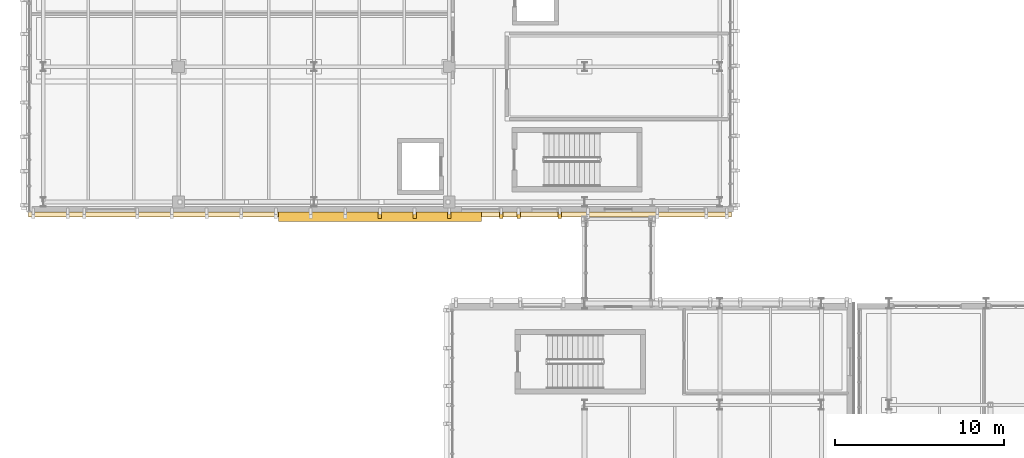
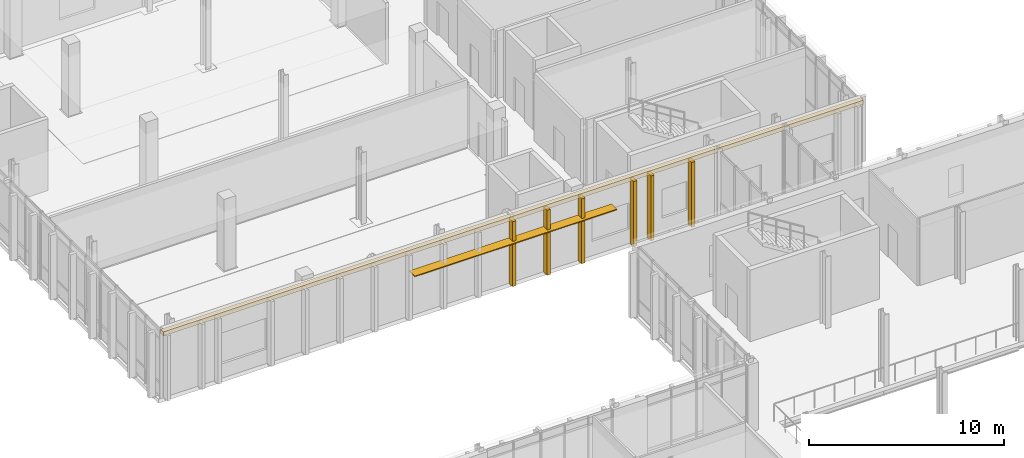
# One storey, part 84 of 100: 7 coverings, 1 shading device.
"""IFC4 building model written with IfcOpenShell, lengths in metres."""

from ifc_helpers import new_model, si_unit, direction, frame, origin, origin_2d, place, context, subcontext, project, spatial, rectangle, extrude, material, layer, layer_set, type_object, element, save


model = new_model("IFC4")

# Units and contexts
model_context = context("Model", 3, precision=1e-05, world=origin(), true_north=direction((0.0, 1.0)))
body_context = subcontext(model_context, "Body", "Model", "MODEL_VIEW")
ifc_project = project(units=[si_unit("LENGTHUNIT", "METRE"), si_unit("AREAUNIT", "SQUARE_METRE"), si_unit("VOLUMEUNIT", "CUBIC_METRE"), si_unit("PLANEANGLEUNIT", "RADIAN"), si_unit("MASSUNIT", "GRAM", prefix="KILO")], contexts=[model_context])

# Site, building, storey
site_placement = place(None, origin())
site = spatial("IfcSite", under=ifc_project, at=site_placement, CompositionType="ELEMENT")
building_placement = place(site_placement, origin())
building = spatial("IfcBuilding", under=site, at=building_placement, Name="Cymarion Research Institute", CompositionType="ELEMENT")
storey_placement = place(building_placement, frame((0.0, 0.0, 4.800048828125)))
storey = spatial("IfcBuildingStorey", under=building, at=storey_placement, Name="L01", CompositionType="ELEMENT", Elevation=4.800048828125)

# Shading device
ifc_material_1 = material(Name="Anodised aluminium solar louvre jalousie", Category="aluminium")
ifc_layer_1 = layer(ifc_material_1, 0.06005859375)
ifc_layer_set_1 = layer_set([ifc_layer_1], Name="Anodised aluminium solar louvre jalousie")
shading_device_type = type_object("IfcShadingDeviceType", Name="ANODISED ALUMINIUM HORIZONTAL LOUVRE JALOUSIE SHD2 550MM", PredefinedType="JALOUSIE", material=ifc_layer_set_1)
shading_device_placement = place(storey_placement, frame((26.5, 46.623046875, 2.7900390625), z_axis=(0.0, 0.0, 1.0), x_axis=(0.0, -1.0, 0.0)))
element("IfcShadingDevice", 1, at=shading_device_placement, inside=storey, type_object=shading_device_type, Name="L01 V4 south aluminium sunshade SHD2 #2", PredefinedType="JALOUSIE", context=body_context, shape_type="SweptSolid", body=[
    extrude(rectangle(XDim=0.550048828125, YDim=12.0, at=origin_2d()), origin(), (0.0, 0.0, 1.0), 0.06005859375),
])

# Coverings
ifc_material_2 = material(Name="Precast concrete C45/55 architectural white", Category="concrete")
ifc_layer_2 = layer(ifc_material_2, 0.260009765625)
ifc_layer_set_2 = layer_set([ifc_layer_2], Name="Precast concrete C45/55 architectural white")
covering_type_1 = type_object("IfcCoveringType", Name="SCULPTURAL WHITE PRECAST CONCRETE SPANDREL BROW BAND RIB2 280MM", PredefinedType="CLADDING", material=ifc_layer_set_2)
covering_placement = place(storey_placement, frame((26.5, 46.758056640625, 4.08984375), z_axis=(0.0, 0.0, 1.0), x_axis=(0.0, -1.0, 0.0)))
element("IfcCovering", 2, at=covering_placement, inside=storey, type_object=covering_type_1, Name="L01 V4 precast spandrel brow band RIB2 #289", PredefinedType="CLADDING", context=body_context, shape_type="SweptSolid", body=[
    extrude(rectangle(XDim=0.280029296875, YDim=41.56005859375, at=origin_2d()), origin(), (0.0, 0.0, 1.0), 0.260009765625),
])
ifc_layer_3 = layer(ifc_material_2, 0.199951171875)
ifc_layer_set_3 = layer_set([ifc_layer_3], Name="Precast concrete C45/55 architectural white")
covering_type_2 = type_object("IfcCoveringType", Name="SCULPTURAL WHITE PRECAST CONCRETE VERTICAL RIB RIB1 380X200", PredefinedType="CLADDING", material=ifc_layer_set_3)
for number, where, z_axis, x_axis, name in (
    (3, (26.5, 46.7080078125, 0.009765625), (0.0, 0.0, 1.0), (0.0, -1.0, 0.0), "L01 V4 sculptural precast vertical rib RIB1 #300"),
    (4, (28.550048828125, 46.7080078125, 0.009765625), (0.0, 0.0, 1.0), (0.0, -1.0, 0.0), "L01 V4 sculptural precast vertical rib RIB1 #301"),
    (5, (30.60009765625, 46.7080078125, 0.009765625), (0.0, 0.0, 1.0), (0.0, -1.0, 0.0), "L01 V4 sculptural precast vertical rib RIB1 #302"),
    (6, (33.679931640625, 46.7080078125, 0.009765625), (0.0, 0.0, 1.0), (0.0, -1.0, 0.0), "L01 V4 sculptural precast vertical rib RIB1 #303"),
    (7, (34.699951171875, 46.7080078125, 0.009765625), (0.0, 0.0, 1.0), (0.0, -1.0, 0.0), "L01 V4 sculptural precast vertical rib RIB1 #304"),
    (8, (37.1298828125, 46.7080078125, 0.009765625), (0.0, 0.0, 1.0), (0.0, -1.0, 0.0), "L01 V4 sculptural precast vertical rib RIB1 #305"),
):
    element("IfcCovering", number, at=place(storey_placement, frame(where, z_axis=z_axis, x_axis=x_axis)), inside=storey, type_object=covering_type_2, Name=name, PredefinedType="CLADDING", context=body_context, shape_type="SweptSolid", body=[
        extrude(rectangle(XDim=0.3798828125, YDim=0.199951171875, at=origin_2d()), origin(), (0.0, 0.0, 1.0), 4.074951171875),
    ])

save(model, "model.ifc")
